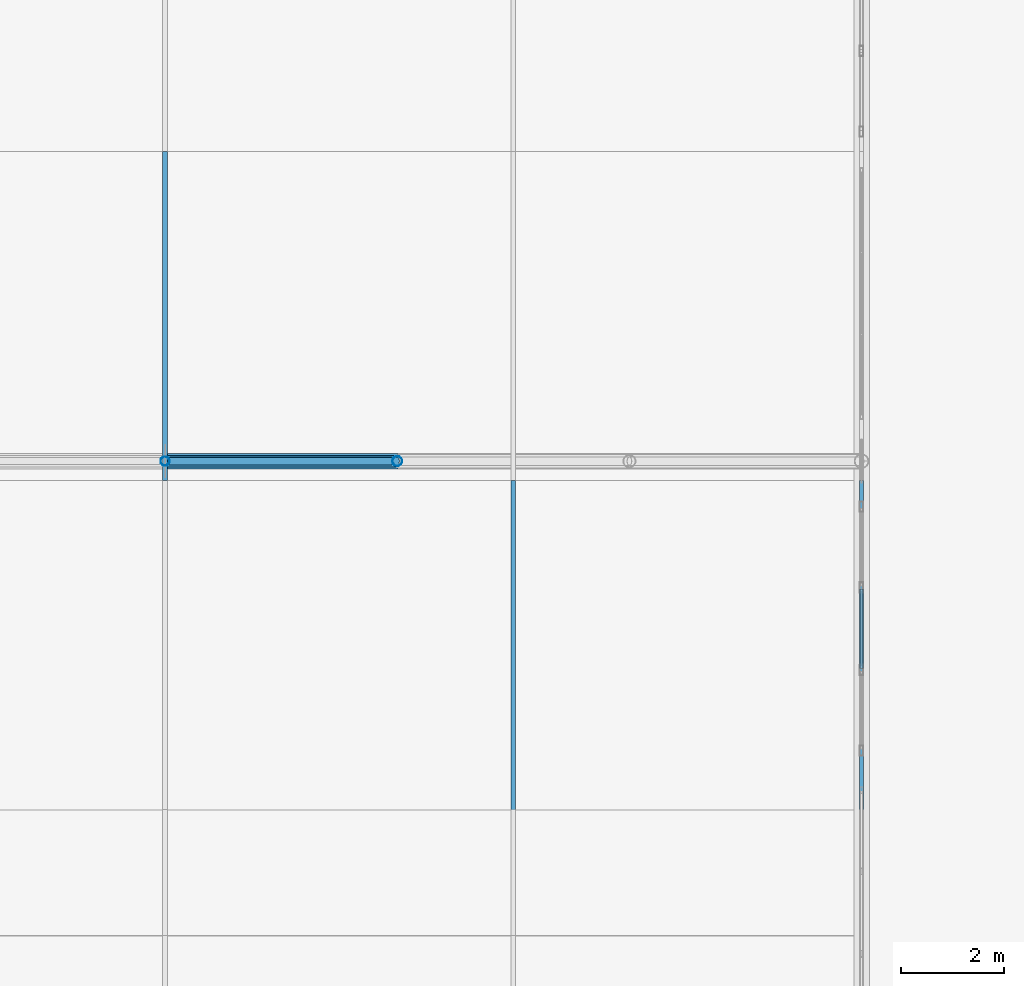
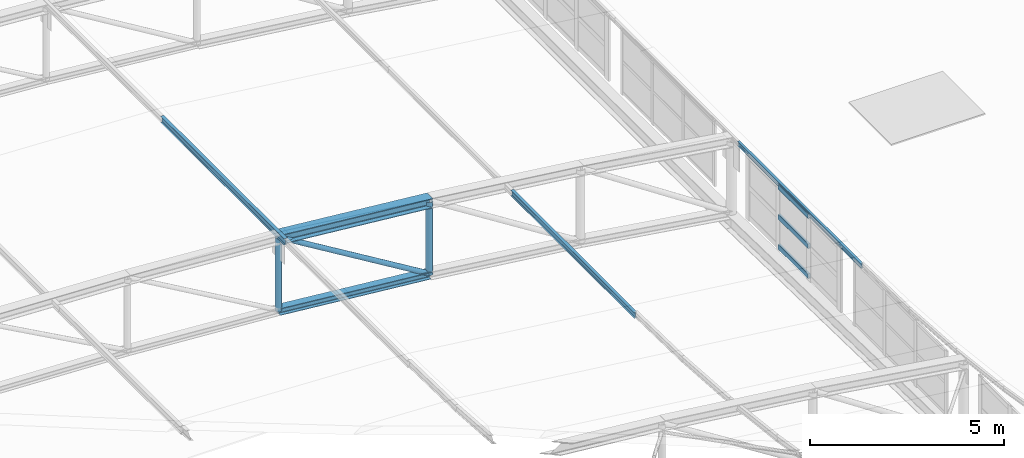
# One storey, part 99 of 262: 11 members, 1 element without a shape of its own.
"""IFC4 building model written with IfcOpenShell, lengths in metres."""

import ifcopenshell
import ifcopenshell.guid

model = None  # the IFC model being written
_history = None  # IfcOwnerHistory: only IFC2X3 demands one
_inside = {}  # id of a spatial element -> (the spatial element, [elements in it])
_under = {}  # id of a project, library or spatial element -> (it, [spatial elements below it])
_declared = {}  # id of a project -> (the project, [libraries it declares])
_typed = {}  # id of a type object -> (the type object, [elements of that type])
_made_of = {}  # id of a material, layer set ... -> (it, [elements and type objects made of it])


def new_model(schema):
    """Start an empty IFC model of exactly this schema.

    Asked for "IFC4X3", IfcOpenShell would pick the latest addendum, in which some entities
    have other attributes; the version numbers below select the first issue.
    IFC2X3 requires an IfcOwnerHistory on every rooted entity: one is made here for all.
    """
    global model, _history
    if schema == "IFC4X3":
        model = ifcopenshell.file(schema_version=(4, 3, 0, 0))
    else:
        model = ifcopenshell.file(schema=schema)
    _inside.clear()
    _under.clear()
    _declared.clear()
    _typed.clear()
    _made_of.clear()
    _history = None
    if model.schema == "IFC2X3":
        org = make("IfcOrganization", Name="unknown")
        user = make(
            "IfcPersonAndOrganization",
            ThePerson=make("IfcPerson", FamilyName="unknown"),
            TheOrganization=org,
        )
        app = make(
            "IfcApplication",
            ApplicationDeveloper=org,
            Version="unknown",
            ApplicationFullName="unknown",
            ApplicationIdentifier="unknown",
        )
        _history = make(
            "IfcOwnerHistory",
            OwningUser=user,
            OwningApplication=app,
            ChangeAction="ADDED",
            CreationDate=0,
        )
    return model


def make(cls, **values):
    """One entity of the class cls with the attributes given. An attribute that is None is left unset."""
    return model.create_entity(
        cls, **{name: value for name, value in values.items() if value is not None}
    )


def rooted(cls, **values):
    """An entity with a GlobalId (a new one), such as an element, a storey or a relation."""
    return make(cls, GlobalId=ifcopenshell.guid.new(), OwnerHistory=_history, **values)


def si_unit(unit_type, name, prefix=None):
    """IfcSIUnit, for example si_unit("LENGTHUNIT", "METRE", prefix="MILLI")."""
    return make("IfcSIUnit", UnitType=unit_type, Prefix=prefix, Name=name)


def derived_unit(unit_type, elements):
    """IfcDerivedUnit: a product of units, each with its exponent."""
    return make(
        "IfcDerivedUnit",
        Elements=[
            make("IfcDerivedUnitElement", Unit=unit, Exponent=power)
            for unit, power in elements
        ],
        UnitType=unit_type,
    )


def assignment(units):
    """IfcUnitAssignment: the units of a project."""
    return None if units is None else make("IfcUnitAssignment", Units=units)


def point(xyz):
    """IfcCartesianPoint."""
    return None if xyz is None else make("IfcCartesianPoint", Coordinates=xyz)


def direction(xyz):
    """IfcDirection."""
    return None if xyz is None else make("IfcDirection", DirectionRatios=xyz)


def frame(location, z_axis=None, x_axis=None):
    """IfcAxis2Placement3D, a coordinate frame: its origin and axes. An axis left out is left unset."""
    return make(
        "IfcAxis2Placement3D",
        Location=point(location),
        Axis=direction(z_axis),
        RefDirection=direction(x_axis),
    )


def frame_2d(location, x_axis=None):
    """IfcAxis2Placement2D, a coordinate frame in the plane: its origin and x axis."""
    return make(
        "IfcAxis2Placement2D", Location=point(location), RefDirection=direction(x_axis)
    )


def origin():
    """The frame at (0, 0, 0) with its axes left unset."""
    return frame((0.0, 0.0, 0.0))


def origin_2d():
    """The frame at (0, 0) in the plane with its x axis left unset."""
    return frame_2d((0.0, 0.0))


def place(relative_to, where):
    """IfcLocalPlacement: puts the frame where relative to a parent placement (None: the world)."""
    return make(
        "IfcLocalPlacement", PlacementRelTo=relative_to, RelativePlacement=where
    )


def context(
    kind, dimensions, precision=None, world=None, true_north=None, identifier=None
):
    """IfcGeometricRepresentationContext, for example the 3D "Model" context."""
    return make(
        "IfcGeometricRepresentationContext",
        ContextIdentifier=identifier,
        ContextType=kind,
        CoordinateSpaceDimension=dimensions,
        Precision=precision,
        WorldCoordinateSystem=world,
        TrueNorth=true_north,
    )


def subcontext(parent, identifier, kind, view, scale=None):
    """IfcGeometricRepresentationSubContext, for example "Body" below "Model"."""
    return make(
        "IfcGeometricRepresentationSubContext",
        ContextIdentifier=identifier,
        ContextType=kind,
        ParentContext=parent,
        TargetScale=scale,
        TargetView=view,
    )


def project(units=None, contexts=None):
    """IfcProject with its units and contexts."""
    return rooted(
        "IfcProject",
        Name="project",
        RepresentationContexts=contexts,
        UnitsInContext=assignment(units),
    )


def spatial(cls, under=None, at=None, **own):
    """A site, building, storey or space (cls), placed at a placement, below another one or the project."""
    s = rooted(cls, ObjectPlacement=at, **own)
    if under is not None:
        _under.setdefault(under.id(), (under, []))[1].append(s)
    return s


def profile(cls, at=None, kind="AREA", **sizes):
    """A parametric profile (cls). Its sizes go by their IFC names, for example OverallWidth=200.0."""
    return make(cls, ProfileType=kind, Position=at, **sizes)


def hollow_rectangle(**sizes):
    """IfcRectangleHollowProfileDef."""
    return profile("IfcRectangleHollowProfileDef", **sizes)


def hollow_circle(**sizes):
    """IfcCircleHollowProfileDef."""
    return profile("IfcCircleHollowProfileDef", **sizes)


def i_section(**sizes):
    """IfcIShapeProfileDef."""
    return profile("IfcIShapeProfileDef", **sizes)


def extrude(swept, where, along, depth):
    """IfcExtrudedAreaSolid: the profile swept, set in the frame where, extruded along a direction by depth."""
    return make(
        "IfcExtrudedAreaSolid",
        SweptArea=swept,
        Position=where,
        ExtrudedDirection=direction(along),
        Depth=depth,
    )


def shape(context_of_items, identifier, shape_type, items):
    """IfcShapeRepresentation: the items that make up one representation, for example the "Body"."""
    return make(
        "IfcShapeRepresentation",
        ContextOfItems=context_of_items,
        RepresentationIdentifier=identifier,
        RepresentationType=shape_type,
        Items=items,
    )


def material(Name=None, Category=None):
    """IfcMaterial."""
    return make("IfcMaterial", Name=Name, Category=Category)


def layer(
    of_material, thickness, ventilated=None, Name=None, Category=None, Priority=None
):
    """IfcMaterialLayer: one layer of a wall or slab, of a material (None: an air gap)."""
    return make(
        "IfcMaterialLayer",
        Material=of_material,
        LayerThickness=thickness,
        IsVentilated=ventilated,
        Name=Name,
        Category=Category,
        Priority=Priority,
    )


def layer_set(layers, Name=None):
    """IfcMaterialLayerSet."""
    return make("IfcMaterialLayerSet", MaterialLayers=layers, LayerSetName=Name)


def material_profile(
    of_material, cross_section, Name=None, Category=None, Priority=None
):
    """IfcMaterialProfile: a cross section and its material."""
    return make(
        "IfcMaterialProfile",
        Name=Name,
        Material=of_material,
        Profile=cross_section,
        Priority=Priority,
        Category=Category,
    )


def profile_set(profiles, Name=None, composite=None):
    """IfcMaterialProfileSet."""
    return make(
        "IfcMaterialProfileSet",
        Name=Name,
        MaterialProfiles=profiles,
        CompositeProfile=composite,
    )


def made_of(thing, what):
    """Note that an element or type object is made of a material, layer set ...; save() writes the relation."""
    if what is not None:
        _made_of.setdefault(what.id(), (what, []))[1].append(thing)
    return thing


def type_object(cls, material=None, **own):
    """A type object (cls), such as IfcWallType, which elements share."""
    return made_of(rooted(cls, **own), material)


def element(
    cls,
    number,
    at=None,
    inside=None,
    cuts=None,
    type_object=None,
    material=None,
    context=None,
    identifier="Body",
    shape_type=None,
    held_by="IfcProductDefinitionShape",
    body=None,
    shapes=None,
    **own,
):
    """One element of the class cls, such as IfcWall. Its Tag is "e" and its number.

    at: its placement. inside: the storey or other place that contains it. cuts: it is an
    opening in that element (IfcRelVoidsElement). A single representation is given by context,
    identifier, shape_type and body (its items); several are given by shapes. held_by: the class
    of the entity that holds the representations. save() writes the other relations.
    """
    e = rooted(cls, Tag="e%d" % number, ObjectPlacement=at, **own)
    if body is not None:
        shapes = [shape(context, identifier, shape_type, body)]
    if shapes is not None:
        e.Representation = make(held_by, Representations=shapes)
    if inside is not None:
        _inside.setdefault(inside.id(), (inside, []))[1].append(e)
    if cuts is not None:
        rooted(
            "IfcRelVoidsElement", RelatingBuildingElement=cuts, RelatedOpeningElement=e
        )
    if type_object is not None:
        _typed.setdefault(type_object.id(), (type_object, []))[1].append(e)
    return made_of(e, material)


def aggregate(whole, parts):
    """IfcRelAggregates: a whole, such as a stair, and the parts it consists of."""
    return rooted("IfcRelAggregates", RelatingObject=whole, RelatedObjects=parts)


def save(model, path):
    """Write the relations noted so far, then the file.

    IfcRelAggregates (storeys below a building ...), IfcRelContainedInSpatialStructure (elements
    in a storey), IfcRelDefinesByType, IfcRelAssociatesMaterial and IfcRelDeclares: one each for
    every whole, place, type object, material and project.
    """
    for whole, parts in _under.values():
        aggregate(whole, parts)
    for where, things in _inside.values():
        rooted(
            "IfcRelContainedInSpatialStructure",
            RelatedElements=things,
            RelatingStructure=where,
        )
    for kind, things in _typed.values():
        rooted("IfcRelDefinesByType", RelatedObjects=things, RelatingType=kind)
    for what, things in _made_of.values():
        rooted("IfcRelAssociatesMaterial", RelatedObjects=things, RelatingMaterial=what)
    for by, libraries in _declared.values():
        rooted("IfcRelDeclares", RelatingContext=by, RelatedDefinitions=libraries)
    model.write(path)


model = new_model("IFC4")

# Units and contexts
model_context = context("Model", 3, precision=1e-05, world=origin(), true_north=direction((0.0, 1.0)))
body_context = subcontext(model_context, "Body", "Model", "MODEL_VIEW")
ifc_project = project(units=[si_unit("LENGTHUNIT", "METRE"), si_unit("AREAUNIT", "SQUARE_METRE"), si_unit("VOLUMEUNIT", "CUBIC_METRE"), si_unit("PLANEANGLEUNIT", "RADIAN"), si_unit("MASSUNIT", "GRAM", prefix="KILO"), derived_unit("THERMALTRANSMITTANCEUNIT", [(si_unit("POWERUNIT", "WATT"), 1), (si_unit("LENGTHUNIT", "METRE"), -2), (si_unit("THERMODYNAMICTEMPERATUREUNIT", "KELVIN"), -1)])], contexts=[model_context])

# Site, building, storey
site_placement = place(None, origin())
site = spatial("IfcSite", under=ifc_project, at=site_placement, CompositionType="ELEMENT")
building_placement = place(site_placement, origin())
building = spatial("IfcBuilding", under=site, at=building_placement, Name="Almenara Railside Exhibition Hall", CompositionType="ELEMENT")
storey_placement = place(building_placement, frame((0.0, 0.0, 21.699951171875)))
storey = spatial("IfcBuildingStorey", under=building, at=storey_placement, Name="RF", CompositionType="ELEMENT", Elevation=21.699951171875)

# Members
ifc_material_1 = material(Name="Structural steel S355JR", Category="steel")
ifc_material_profile_1 = material_profile(ifc_material_1, i_section(OverallWidth=0.300048828125, OverallDepth=0.300048828125, WebThickness=0.010986328125, FlangeThickness=0.01904296875, FilletRadius=0.027099609375, at=origin_2d()), Name="HEB 300")
ifc_profile_set_1 = profile_set([ifc_material_profile_1], Name="Structural steel S355JR")
member_type_1 = type_object("IfcMemberType", Name="Arched Inner Top Chord HEB 300 S355JR", PredefinedType="CHORD", material=ifc_profile_set_1)
member_1_placement = place(storey_placement, frame((52.5, 84.0, 1.550048828125), z_axis=(0.995512933083, 0.0, -0.094625578275), x_axis=(0.0, 1.0, 0.0)))
element("IfcMember", 1, at=member_1_placement, inside=storey, type_object=member_type_1, Name="MEM-TC-V1-03-09", PredefinedType="CHORD", context=body_context, shape_type="SweptSolid", body=[
    extrude(i_section(OverallWidth=0.300048828125, OverallDepth=0.300048828125, WebThickness=0.010986328125, FlangeThickness=0.01904296875, FilletRadius=0.027099609375, at=origin_2d()), origin(), (0.0, 0.0, 1.0), 4.520263671875),
])
ifc_material_profile_2 = material_profile(ifc_material_1, i_section(OverallWidth=0.072998046875, OverallDepth=0.139892578125, WebThickness=0.004638671875, FlangeThickness=0.0068359375, FilletRadius=0.007080078125, at=origin_2d()), Name="IPE 140")
ifc_profile_set_2 = profile_set([ifc_material_profile_2], Name="Structural steel S355JR")
member_type_2 = type_object("IfcMemberType", Name="Canopy Edge Purlin IPE 140 S355JR", PredefinedType="PURLIN", material=ifc_profile_set_2)
member_2_placement = place(storey_placement, frame((66.0, 77.240478515625, 0.0146484375), z_axis=(0.0, 1.0, 0.0), x_axis=(-1.0, 0.0, 0.0)))
element("IfcMember", 2, at=member_2_placement, inside=storey, type_object=member_type_2, Name="MEM-PR-V1-PR-IPE140-08-12", PredefinedType="PURLIN", context=body_context, shape_type="SweptSolid", body=[
    extrude(i_section(OverallWidth=0.072998046875, OverallDepth=0.139892578125, WebThickness=0.004638671875, FlangeThickness=0.0068359375, FilletRadius=0.007080078125, at=origin_2d()), origin(), (0.0, 0.0, 1.0), 6.379638671875),
])

# Curtain wall, members
ifc_material_2 = material(Name="Bronze-anodised aluminium and low-E double glazing", Category="aluminium")
ifc_layer = layer(ifc_material_2, 0.179931640625, Name="Bronze-anodised aluminium and low-E double glazing")
ifc_layer_set = layer_set([ifc_layer], Name="Bronze-anodised aluminium and low-E double glazing")
curtain_wall_type = type_object("IfcCurtainWallType", Name="West Hall Clerestory Curtain Wall 4200x2400", PredefinedType="NOTDEFINED", material=ifc_layer_set)
curtain_wall_placement = place(storey_placement, origin())
curtain_wall = element("IfcCurtainWall", 3, at=curtain_wall_placement, inside=storey, type_object=curtain_wall_type, Name="Curtain wall CW-CL1-179", PredefinedType="NOTDEFINED")
ifc_material_3 = material(Name="Bronze-anodised aluminium", Category="aluminium")
ifc_material_profile_3 = material_profile(ifc_material_3, hollow_rectangle(XDim=0.070068359375, YDim=0.159912109375, WallThickness=0.00390625, InnerFilletRadius=0.00390625, OuterFilletRadius=0.008056640625, at=origin_2d()), Name="ALU-TRN 70x160x4")
ifc_profile_set_3 = profile_set([ifc_material_profile_3], Name="Bronze-anodised aluminium")
member_type_3 = type_object("IfcMemberType", Name="Curtain Wall Transom 70x160x4", PredefinedType="USERDEFINED", material=ifc_profile_set_3)
member_3_placement = place(storey_placement, frame((66.0, 79.97705078125, -1.969970703125), z_axis=(0.0, 1.0, 0.0), x_axis=(-1.0, 0.0, 0.0)))
member_3 = element("IfcMember", 4, at=member_3_placement, type_object=member_type_3, Name="CW-CL1-179 transom 2.1", ObjectType="TRANSOM", PredefinedType="USERDEFINED", context=body_context, shape_type="SweptSolid", body=[
    extrude(hollow_rectangle(XDim=0.070068359375, YDim=0.159912109375, WallThickness=0.00390625, InnerFilletRadius=0.00390625, OuterFilletRadius=0.008056640625, at=origin_2d()), origin(), (0.0, 0.0, 1.0), 1.5458984375),
])
member_4_placement = place(storey_placement, frame((66.0, 79.97705078125, -1.02490234375), z_axis=(0.0, 1.0, 0.0), x_axis=(-1.0, 0.0, 0.0)))
member_4 = element("IfcMember", 5, at=member_4_placement, type_object=member_type_3, Name="CW-CL1-179 transom 2.2", ObjectType="TRANSOM", PredefinedType="USERDEFINED", context=body_context, shape_type="SweptSolid", body=[
    extrude(hollow_rectangle(XDim=0.070068359375, YDim=0.159912109375, WallThickness=0.00390625, InnerFilletRadius=0.00390625, OuterFilletRadius=0.008056640625, at=origin_2d()), origin(), (0.0, 0.0, 1.0), 1.5458984375),
])
member_5_placement = place(storey_placement, frame((66.0, 79.97705078125, -0.079833984375), z_axis=(0.0, 1.0, 0.0), x_axis=(-1.0, 0.0, 0.0)))
member_5 = element("IfcMember", 6, at=member_5_placement, type_object=member_type_3, Name="CW-CL1-179 transom 2.3", ObjectType="TRANSOM", PredefinedType="USERDEFINED", context=body_context, shape_type="SweptSolid", body=[
    extrude(hollow_rectangle(XDim=0.070068359375, YDim=0.159912109375, WallThickness=0.00390625, InnerFilletRadius=0.00390625, OuterFilletRadius=0.008056640625, at=origin_2d()), origin(), (0.0, 0.0, 1.0), 1.5458984375),
])
aggregate(curtain_wall, [member_3, member_4, member_5])

# Members
ifc_material_profile_4 = material_profile(ifc_material_1, i_section(OverallWidth=0.091064453125, OverallDepth=0.179931640625, WebThickness=0.00537109375, FlangeThickness=0.008056640625, FilletRadius=0.009033203125, at=origin_2d()), Name="IPE 180")
ifc_profile_set_4 = profile_set([ifc_material_profile_4], Name="Structural steel S355JR")
member_type_4 = type_object("IfcMemberType", Name="Plenary Roof Purlin IPE 180 S355JR", PredefinedType="PURLIN", material=ifc_profile_set_4)
member_6_placement = place(storey_placement, frame((59.25, 77.240478515625, 0.8212890625), z_axis=(0.0, 1.0, 0.0), x_axis=(-1.0, 0.0, 0.0)))
element("IfcMember", 7, at=member_6_placement, inside=storey, type_object=member_type_4, Name="MEM-PR-V1-PR-IPE180-07-12", PredefinedType="PURLIN", context=body_context, shape_type="SweptSolid", body=[
    extrude(i_section(OverallWidth=0.091064453125, OverallDepth=0.179931640625, WebThickness=0.00537109375, FlangeThickness=0.008056640625, FilletRadius=0.009033203125, at=origin_2d()), origin(), (0.0, 0.0, 1.0), 6.379638671875),
])
ifc_material_profile_5 = material_profile(ifc_material_1, i_section(OverallWidth=0.219970703125, OverallDepth=0.219970703125, WebThickness=0.009521484375, FlangeThickness=0.01611328125, FilletRadius=0.01806640625, at=origin_2d()), Name="HEB 220")
ifc_profile_set_5 = profile_set([ifc_material_profile_5], Name="Structural steel S355JR")
member_type_5 = type_object("IfcMemberType", Name="Scroll Tie Chord HEB 220 S355JR", PredefinedType="CHORD", material=ifc_profile_set_5)
member_7_placement = place(storey_placement, frame((52.5, 84.0, -0.75), z_axis=(0.995512933083, 0.0, -0.094625578275), x_axis=(0.0, 1.0, 0.0)))
element("IfcMember", 8, at=member_7_placement, inside=storey, type_object=member_type_5, Name="MEM-BC-V1-03-09", PredefinedType="CHORD", context=body_context, shape_type="SweptSolid", body=[
    extrude(i_section(OverallWidth=0.219970703125, OverallDepth=0.219970703125, WebThickness=0.009521484375, FlangeThickness=0.01611328125, FilletRadius=0.01806640625, at=origin_2d()), origin(), (0.0, 0.0, 1.0), 4.520263671875),
])
ifc_material_profile_6 = material_profile(ifc_material_1, i_section(OverallWidth=0.10009765625, OverallDepth=0.199951171875, WebThickness=0.005615234375, FlangeThickness=0.008544921875, FilletRadius=0.011962890625, at=origin_2d()), Name="IPE 200")
ifc_profile_set_6 = profile_set([ifc_material_profile_6], Name="Structural steel S355JR")
member_type_6 = type_object("IfcMemberType", Name="Standard Hall Roof Purlin IPE 200 S355JR", PredefinedType="PURLIN", material=ifc_profile_set_6)
member_8_placement = place(storey_placement, frame((52.5, 83.6201171875, 1.638427734375), z_axis=(0.0, 1.0, 0.0), x_axis=(-1.0, 0.0, 0.0)))
element("IfcMember", 9, at=member_8_placement, inside=storey, type_object=member_type_6, Name="MEM-PR-V1-PR-IPE200-06-13", PredefinedType="PURLIN", context=body_context, shape_type="SweptSolid", body=[
    extrude(i_section(OverallWidth=0.10009765625, OverallDepth=0.199951171875, WebThickness=0.005615234375, FlangeThickness=0.008544921875, FilletRadius=0.011962890625, at=origin_2d()), origin(), (0.0, 0.0, 1.0), 6.3798828125),
])
ifc_material_profile_7 = material_profile(ifc_material_1, hollow_circle(Radius=0.076171875, WallThickness=0.0048828125, at=origin_2d()), Name="CHS 152.4x5")
ifc_profile_set_7 = profile_set([ifc_material_profile_7], Name="Structural steel S355JR")
member_type_7 = type_object("IfcMemberType", Name="Truss Mid Diagonal CHS 152.4x5 S355JR", PredefinedType="BRACE", material=ifc_profile_set_7)
member_9_placement = place(storey_placement, frame((52.5, 84.0, 1.550048828125), z_axis=(0.855154829777, 0.0, -0.518372662386), x_axis=(0.0, 1.0, 0.0)))
element("IfcMember", 10, at=member_9_placement, inside=storey, type_object=member_type_7, Name="MEM-TD-V1-03-09", PredefinedType="BRACE", context=body_context, shape_type="SweptSolid", body=[
    extrude(hollow_circle(Radius=0.076171875, WallThickness=0.0048828125, at=origin_2d()), origin(), (0.0, 0.0, 1.0), 5.26220703125),
])
ifc_material_profile_8 = material_profile(ifc_material_1, hollow_circle(Radius=0.0888671875, WallThickness=0.006103515625, at=origin_2d()), Name="CHS 177.8x6")
ifc_profile_set_8 = profile_set([ifc_material_profile_8], Name="Structural steel S355JR")
member_type_8 = type_object("IfcMemberType", Name="Truss Quarter Vertical Strut CHS 177.8x6 S355JR", PredefinedType="BRACE", material=ifc_profile_set_8)
member_10_placement = place(storey_placement, frame((52.5, 84.0, -0.75), z_axis=(0.0, 0.0, 1.0), x_axis=(1.0, 0.0, 0.0)))
element("IfcMember", 11, at=member_10_placement, inside=storey, type_object=member_type_8, Name="MEM-TV-V1-03-09", PredefinedType="BRACE", context=body_context, shape_type="SweptSolid", body=[
    extrude(hollow_circle(Radius=0.0888671875, WallThickness=0.006103515625, at=origin_2d()), origin(), (0.0, 0.0, 1.0), 2.300048828125),
])
ifc_material_profile_9 = material_profile(ifc_material_1, hollow_circle(Radius=0.096923828125, WallThickness=0.00634765625, at=origin_2d()), Name="CHS 193.7x6.3")
ifc_profile_set_9 = profile_set([ifc_material_profile_9], Name="Structural steel S355JR")
member_type_9 = type_object("IfcMemberType", Name="Truss Standard Vertical Strut CHS 193.7x6.3 S355JR", PredefinedType="BRACE", material=ifc_profile_set_9)
member_11_placement = place(storey_placement, frame((57.0, 84.0, -1.177734375), z_axis=(0.0, 0.0, 1.0), x_axis=(1.0, 0.0, 0.0)))
element("IfcMember", 12, at=member_11_placement, inside=storey, type_object=member_type_9, Name="MEM-TV-V1-03-10", PredefinedType="BRACE", context=body_context, shape_type="SweptSolid", body=[
    extrude(hollow_circle(Radius=0.096923828125, WallThickness=0.00634765625, at=origin_2d()), origin(), (0.0, 0.0, 1.0), 2.300048828125),
])

save(model, "model.ifc")
